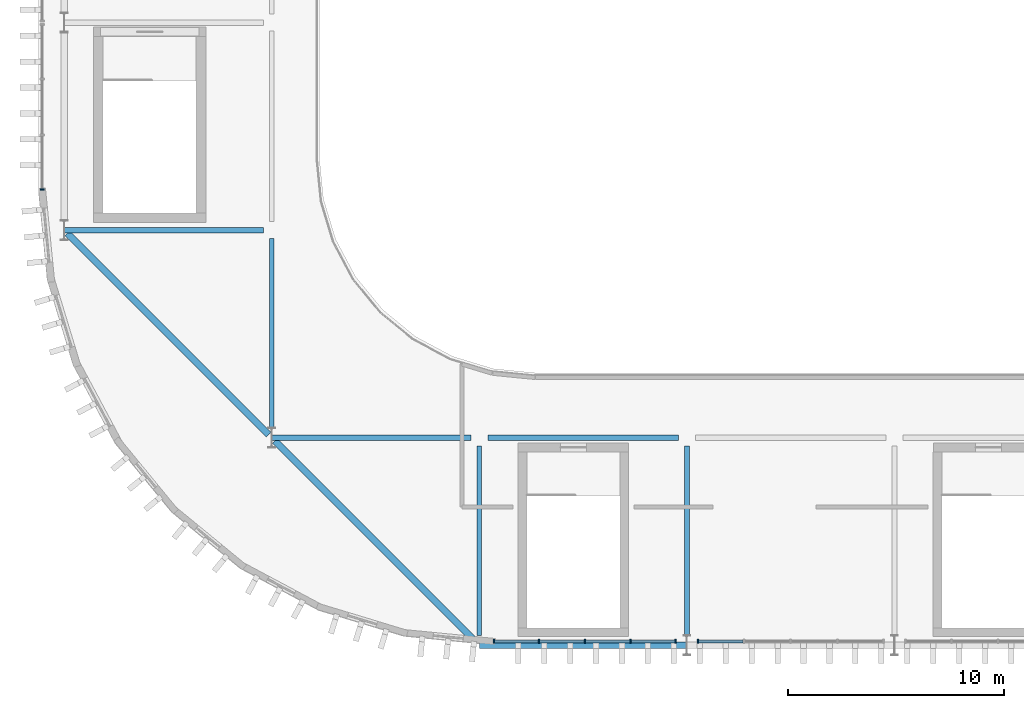
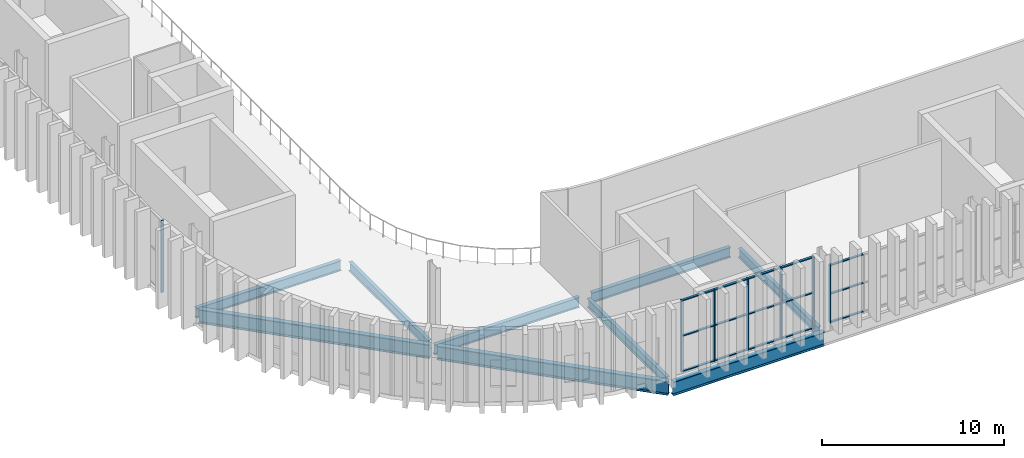
# One storey, part 9 of 45: 22 members, 9 beams, 3 elements without a shape of their own.
"""IFC4 building model written with IfcOpenShell, lengths in metres."""

from ifc_helpers import new_model, si_unit, direction, frame, origin, origin_2d, place, context, subcontext, project, spatial, rectangle, i_section, extrude, material, layer, layer_set, material_profile, profile_set, type_object, element, aggregate, save


model = new_model("IFC4")

# Units and contexts
model_context = context("Model", 3, precision=1e-05, world=origin(), true_north=direction((0.0, 1.0)))
body_context = subcontext(model_context, "Body", "Model", "MODEL_VIEW")
ifc_project = project(units=[si_unit("LENGTHUNIT", "METRE"), si_unit("AREAUNIT", "SQUARE_METRE"), si_unit("VOLUMEUNIT", "CUBIC_METRE"), si_unit("PLANEANGLEUNIT", "RADIAN"), si_unit("MASSUNIT", "GRAM", prefix="KILO")], contexts=[model_context])

# Site, building, storey
site_placement = place(None, origin())
site = spatial("IfcSite", under=ifc_project, at=site_placement, CompositionType="ELEMENT")
building_placement = place(site_placement, origin())
building = spatial("IfcBuilding", under=site, at=building_placement, Name="Caelomonte Colonnade Arena", CompositionType="ELEMENT")
storey_placement = place(building_placement, frame((0.0, 0.0, 23.10009765625)))
storey = spatial("IfcBuildingStorey", under=building, at=storey_placement, Name="L05", CompositionType="ELEMENT", Elevation=23.10009765625)

# Curtain wall, members
ifc_material_1 = material(Name="Bronze anodised aluminium and low-E glazing", Category="aluminium")
ifc_layer_1 = layer(ifc_material_1, 0.179931640625)
ifc_layer_set_1 = layer_set([ifc_layer_1], Name="Bronze anodised aluminium and low-E glazing")
curtain_wall_type_1 = type_object("IfcCurtainWallType", Name="ENV-CW-CW-L05-91-48", PredefinedType="USERDEFINED", material=ifc_layer_set_1)
curtain_wall_1_placement = place(storey_placement, origin())
curtain_wall_1 = element("IfcCurtainWall", 1, at=curtain_wall_1_placement, inside=storey, type_object=curtain_wall_type_1, Name="L05 unitized curtain wall CW-L05-0818-0194", ObjectType="UNITIZED CURTAIN WALL", PredefinedType="USERDEFINED")
ifc_material_2 = material(Name="Bronze anodised aluminium AA6063-T6", Category="aluminium")
ifc_material_profile_1 = material_profile(ifc_material_2, rectangle(XDim=0.070068359375, YDim=0.179931640625, at=origin_2d()), Name="CWM-70X180")
ifc_profile_set_1 = profile_set([ifc_material_profile_1], Name="Bronze anodised aluminium AA6063-T6")
member_type_1 = type_object("IfcMemberType", Name="ENV-CW-MULL1", PredefinedType="MULLION", material=ifc_profile_set_1)
member_1_placement = place(storey_placement, frame((77.47509765625, 19.3798828125, 0.0), z_axis=(0.0, 0.0, 1.0), x_axis=(1.0, 0.0, 0.0)))
member_1 = element("IfcMember", 2, at=member_1_placement, type_object=member_type_1, Name="CW-L05-91-48 mullion 1", PredefinedType="MULLION", context=body_context, shape_type="SweptSolid", body=[
    extrude(rectangle(XDim=0.070068359375, YDim=0.179931640625, at=origin_2d()), origin(), (0.0, 0.0, 1.0), 4.81982421875),
])
member_2_placement = place(storey_placement, frame((79.560791015625, 19.3798828125, 0.0), z_axis=(0.0, 0.0, 1.0), x_axis=(1.0, 0.0, 0.0)))
member_2 = element("IfcMember", 3, at=member_2_placement, type_object=member_type_1, Name="CW-L05-91-48 mullion 2", PredefinedType="MULLION", context=body_context, shape_type="SweptSolid", body=[
    extrude(rectangle(XDim=0.070068359375, YDim=0.179931640625, at=origin_2d()), origin(), (0.0, 0.0, 1.0), 4.81982421875),
])
member_3_placement = place(storey_placement, frame((81.681396484375, 19.3798828125, 0.0), z_axis=(0.0, 0.0, 1.0), x_axis=(1.0, 0.0, 0.0)))
member_3 = element("IfcMember", 4, at=member_3_placement, type_object=member_type_1, Name="CW-L05-91-48 mullion 3", PredefinedType="MULLION", context=body_context, shape_type="SweptSolid", body=[
    extrude(rectangle(XDim=0.070068359375, YDim=0.179931640625, at=origin_2d()), origin(), (0.0, 0.0, 1.0), 4.81982421875),
])
member_4_placement = place(storey_placement, frame((83.802001953125, 19.3798828125, 0.0), z_axis=(0.0, 0.0, 1.0), x_axis=(1.0, 0.0, 0.0)))
member_4 = element("IfcMember", 5, at=member_4_placement, type_object=member_type_1, Name="CW-L05-91-48 mullion 4", PredefinedType="MULLION", context=body_context, shape_type="SweptSolid", body=[
    extrude(rectangle(XDim=0.070068359375, YDim=0.179931640625, at=origin_2d()), origin(), (0.0, 0.0, 1.0), 4.81982421875),
])
member_5_placement = place(storey_placement, frame((85.8876953125, 19.3798828125, 0.0), z_axis=(0.0, 0.0, 1.0), x_axis=(1.0, 0.0, 0.0)))
member_5 = element("IfcMember", 6, at=member_5_placement, type_object=member_type_1, Name="CW-L05-91-48 mullion 5", PredefinedType="MULLION", context=body_context, shape_type="SweptSolid", body=[
    extrude(rectangle(XDim=0.070068359375, YDim=0.179931640625, at=origin_2d()), origin(), (0.0, 0.0, 1.0), 4.81982421875),
])

# Curtain wall, member
ifc_layer_2 = layer(ifc_material_1, 0.179931640625)
ifc_layer_set_2 = layer_set([ifc_layer_2], Name="Bronze anodised aluminium and low-E glazing")
curtain_wall_type_2 = type_object("IfcCurtainWallType", Name="ENV-CW-CW-L05-96-39", PredefinedType="USERDEFINED", material=ifc_layer_set_2)
curtain_wall_2_placement = place(storey_placement, origin())
curtain_wall_2 = element("IfcCurtainWall", 7, at=curtain_wall_2_placement, inside=storey, type_object=curtain_wall_type_2, Name="L05 unitized curtain wall CW-L05-0912-0194", ObjectType="UNITIZED CURTAIN WALL", PredefinedType="USERDEFINED")
member_6_placement = place(storey_placement, frame((86.912109375, 19.3798828125, 0.0), z_axis=(0.0, 0.0, 1.0), x_axis=(1.0, 0.0, 0.0)))
member_6 = element("IfcMember", 8, at=member_6_placement, type_object=member_type_1, Name="CW-L05-96-39 mullion 1", PredefinedType="MULLION", context=body_context, shape_type="SweptSolid", body=[
    extrude(rectangle(XDim=0.070068359375, YDim=0.179931640625, at=origin_2d()), origin(), (0.0, 0.0, 1.0), 3.892822265625),
])

ifc_layer_3 = layer(ifc_material_1, 0.179931640625)
ifc_layer_set_3 = layer_set([ifc_layer_3], Name="Bronze anodised aluminium and low-E glazing")
curtain_wall_type_3 = type_object("IfcCurtainWallType", Name="ENV-CW-CW-L05-79-48", PredefinedType="USERDEFINED", material=ifc_layer_set_3)
curtain_wall_3_placement = place(storey_placement, origin())
curtain_wall_3 = element("IfcCurtainWall", 9, at=curtain_wall_3_placement, inside=storey, type_object=curtain_wall_type_3, Name="L05 unitized curtain wall CW-L05-0566-0440", ObjectType="UNITIZED CURTAIN WALL", PredefinedType="USERDEFINED")
member_7_placement = place(storey_placement, frame((56.580078125, 40.27490234375, 0.0), z_axis=(0.0, 0.0, 1.0), x_axis=(0.0, -1.0, 0.0)))
member_7 = element("IfcMember", 10, at=member_7_placement, type_object=member_type_1, Name="CW-L05-79-48 mullion 4", PredefinedType="MULLION", context=body_context, shape_type="SweptSolid", body=[
    extrude(rectangle(XDim=0.070068359375, YDim=0.179931640625, at=origin_2d()), origin(), (0.0, 0.0, 1.0), 4.81982421875),
])
aggregate(curtain_wall_3, [member_7])

# Member
ifc_material_profile_2 = material_profile(ifc_material_2, rectangle(XDim=0.070068359375, YDim=0.139892578125, at=origin_2d()), Name="CWT-70X140")
ifc_profile_set_2 = profile_set([ifc_material_profile_2], Name="Bronze anodised aluminium AA6063-T6")
member_type_2 = type_object("IfcMemberType", Name="ENV-CW-TRAN1", PredefinedType="USERDEFINED", material=ifc_profile_set_2)
member_8_placement = place(storey_placement, frame((77.510009765625, 19.3798828125, 0.034912109375), z_axis=(1.0, 0.0, 0.0), x_axis=(0.0, 0.0, 1.0)))
member_8 = element("IfcMember", 11, at=member_8_placement, type_object=member_type_2, Name="CW-L05-91-48 transom 1.1", ObjectType="TRANSOM", PredefinedType="USERDEFINED", context=body_context, shape_type="SweptSolid", body=[
    extrude(rectangle(XDim=0.070068359375, YDim=0.139892578125, at=origin_2d()), origin(), (0.0, 0.0, 1.0), 2.015625),
])

member_9_placement = place(storey_placement, frame((77.510009765625, 19.3798828125, 2.409912109375), z_axis=(1.0, 0.0, 0.0), x_axis=(0.0, 0.0, 1.0)))
member_9 = element("IfcMember", 12, at=member_9_placement, type_object=member_type_2, Name="CW-L05-91-48 transom 1.2", ObjectType="TRANSOM", PredefinedType="USERDEFINED", context=body_context, shape_type="SweptSolid", body=[
    extrude(rectangle(XDim=0.070068359375, YDim=0.139892578125, at=origin_2d()), origin(), (0.0, 0.0, 1.0), 2.015625),
])

member_10_placement = place(storey_placement, frame((77.510009765625, 19.3798828125, 4.784912109375), z_axis=(1.0, 0.0, 0.0), x_axis=(0.0, 0.0, 1.0)))
member_10 = element("IfcMember", 13, at=member_10_placement, type_object=member_type_2, Name="CW-L05-91-48 transom 1.3", ObjectType="TRANSOM", PredefinedType="USERDEFINED", context=body_context, shape_type="SweptSolid", body=[
    extrude(rectangle(XDim=0.070068359375, YDim=0.139892578125, at=origin_2d()), origin(), (0.0, 0.0, 1.0), 2.015625),
])

member_11_placement = place(storey_placement, frame((79.595703125, 19.3798828125, 0.034912109375), z_axis=(1.0, 0.0, 0.0), x_axis=(0.0, 0.0, 1.0)))
member_11 = element("IfcMember", 14, at=member_11_placement, type_object=member_type_2, Name="CW-L05-91-48 transom 2.1", ObjectType="TRANSOM", PredefinedType="USERDEFINED", context=body_context, shape_type="SweptSolid", body=[
    extrude(rectangle(XDim=0.070068359375, YDim=0.139892578125, at=origin_2d()), origin(), (0.0, 0.0, 1.0), 2.05078125),
])

member_12_placement = place(storey_placement, frame((79.595703125, 19.3798828125, 2.409912109375), z_axis=(1.0, 0.0, 0.0), x_axis=(0.0, 0.0, 1.0)))
member_12 = element("IfcMember", 15, at=member_12_placement, type_object=member_type_2, Name="CW-L05-91-48 transom 2.2", ObjectType="TRANSOM", PredefinedType="USERDEFINED", context=body_context, shape_type="SweptSolid", body=[
    extrude(rectangle(XDim=0.070068359375, YDim=0.139892578125, at=origin_2d()), origin(), (0.0, 0.0, 1.0), 2.05078125),
])

member_13_placement = place(storey_placement, frame((79.595703125, 19.3798828125, 4.784912109375), z_axis=(1.0, 0.0, 0.0), x_axis=(0.0, 0.0, 1.0)))
member_13 = element("IfcMember", 16, at=member_13_placement, type_object=member_type_2, Name="CW-L05-91-48 transom 2.3", ObjectType="TRANSOM", PredefinedType="USERDEFINED", context=body_context, shape_type="SweptSolid", body=[
    extrude(rectangle(XDim=0.070068359375, YDim=0.139892578125, at=origin_2d()), origin(), (0.0, 0.0, 1.0), 2.05078125),
])

member_14_placement = place(storey_placement, frame((81.71630859375, 19.3798828125, 0.034912109375), z_axis=(1.0, 0.0, 0.0), x_axis=(0.0, 0.0, 1.0)))
member_14 = element("IfcMember", 17, at=member_14_placement, type_object=member_type_2, Name="CW-L05-91-48 transom 3.1", ObjectType="TRANSOM", PredefinedType="USERDEFINED", context=body_context, shape_type="SweptSolid", body=[
    extrude(rectangle(XDim=0.070068359375, YDim=0.139892578125, at=origin_2d()), origin(), (0.0, 0.0, 1.0), 2.05078125),
])

member_15_placement = place(storey_placement, frame((81.71630859375, 19.3798828125, 2.409912109375), z_axis=(1.0, 0.0, 0.0), x_axis=(0.0, 0.0, 1.0)))
member_15 = element("IfcMember", 18, at=member_15_placement, type_object=member_type_2, Name="CW-L05-91-48 transom 3.2", ObjectType="TRANSOM", PredefinedType="USERDEFINED", context=body_context, shape_type="SweptSolid", body=[
    extrude(rectangle(XDim=0.070068359375, YDim=0.139892578125, at=origin_2d()), origin(), (0.0, 0.0, 1.0), 2.05078125),
])

member_16_placement = place(storey_placement, frame((81.71630859375, 19.3798828125, 4.784912109375), z_axis=(1.0, 0.0, 0.0), x_axis=(0.0, 0.0, 1.0)))
member_16 = element("IfcMember", 19, at=member_16_placement, type_object=member_type_2, Name="CW-L05-91-48 transom 3.3", ObjectType="TRANSOM", PredefinedType="USERDEFINED", context=body_context, shape_type="SweptSolid", body=[
    extrude(rectangle(XDim=0.070068359375, YDim=0.139892578125, at=origin_2d()), origin(), (0.0, 0.0, 1.0), 2.05078125),
])

member_17_placement = place(storey_placement, frame((83.837158203125, 19.3798828125, 0.034912109375), z_axis=(1.0, 0.0, 0.0), x_axis=(0.0, 0.0, 1.0)))
member_17 = element("IfcMember", 20, at=member_17_placement, type_object=member_type_2, Name="CW-L05-91-48 transom 4.1", ObjectType="TRANSOM", PredefinedType="USERDEFINED", context=body_context, shape_type="SweptSolid", body=[
    extrude(rectangle(XDim=0.070068359375, YDim=0.139892578125, at=origin_2d()), origin(), (0.0, 0.0, 1.0), 2.015625),
])

member_18_placement = place(storey_placement, frame((83.837158203125, 19.3798828125, 2.409912109375), z_axis=(1.0, 0.0, 0.0), x_axis=(0.0, 0.0, 1.0)))
member_18 = element("IfcMember", 21, at=member_18_placement, type_object=member_type_2, Name="CW-L05-91-48 transom 4.2", ObjectType="TRANSOM", PredefinedType="USERDEFINED", context=body_context, shape_type="SweptSolid", body=[
    extrude(rectangle(XDim=0.070068359375, YDim=0.139892578125, at=origin_2d()), origin(), (0.0, 0.0, 1.0), 2.015625),
])

member_19_placement = place(storey_placement, frame((83.837158203125, 19.3798828125, 4.784912109375), z_axis=(1.0, 0.0, 0.0), x_axis=(0.0, 0.0, 1.0)))
member_19 = element("IfcMember", 22, at=member_19_placement, type_object=member_type_2, Name="CW-L05-91-48 transom 4.3", ObjectType="TRANSOM", PredefinedType="USERDEFINED", context=body_context, shape_type="SweptSolid", body=[
    extrude(rectangle(XDim=0.070068359375, YDim=0.139892578125, at=origin_2d()), origin(), (0.0, 0.0, 1.0), 2.015625),
])

aggregate(curtain_wall_1, [member_1, member_2, member_3, member_4, member_5, member_8, member_9, member_10, member_11, member_12, member_13, member_14, member_15, member_16, member_17, member_18, member_19])

member_20_placement = place(storey_placement, frame((86.947265625, 19.3798828125, 0.034912109375), z_axis=(1.0, 0.0, 0.0), x_axis=(0.0, 0.0, 1.0)))
member_20 = element("IfcMember", 23, at=member_20_placement, type_object=member_type_2, Name="CW-L05-96-39 transom 1.1", ObjectType="TRANSOM", PredefinedType="USERDEFINED", context=body_context, shape_type="SweptSolid", body=[
    extrude(rectangle(XDim=0.070068359375, YDim=0.139892578125, at=origin_2d()), origin(), (0.0, 0.0, 1.0), 2.056396484375),
])

member_21_placement = place(storey_placement, frame((86.947265625, 19.3798828125, 1.9462890625), z_axis=(1.0, 0.0, 0.0), x_axis=(0.0, 0.0, 1.0)))
member_21 = element("IfcMember", 24, at=member_21_placement, type_object=member_type_2, Name="CW-L05-96-39 transom 1.2", ObjectType="TRANSOM", PredefinedType="USERDEFINED", context=body_context, shape_type="SweptSolid", body=[
    extrude(rectangle(XDim=0.070068359375, YDim=0.139892578125, at=origin_2d()), origin(), (0.0, 0.0, 1.0), 2.056396484375),
])

member_22_placement = place(storey_placement, frame((86.947265625, 19.3798828125, 3.85791015625), z_axis=(1.0, 0.0, 0.0), x_axis=(0.0, 0.0, 1.0)))
member_22 = element("IfcMember", 25, at=member_22_placement, type_object=member_type_2, Name="CW-L05-96-39 transom 1.3", ObjectType="TRANSOM", PredefinedType="USERDEFINED", context=body_context, shape_type="SweptSolid", body=[
    extrude(rectangle(XDim=0.070068359375, YDim=0.139892578125, at=origin_2d()), origin(), (0.0, 0.0, 1.0), 2.056396484375),
])

aggregate(curtain_wall_2, [member_6, member_20, member_21, member_22])

# Beams
ifc_material_3 = material(Name="Wide-flange steel ASTM A992 Grade 50", Category="steel")
ifc_material_profile_3 = material_profile(ifc_material_3, i_section(OverallWidth=0.307861328125, OverallDepth=0.927001953125, WebThickness=0.019287109375, FlangeThickness=0.031982421875, FilletRadius=0.020263671875, at=origin_2d()), Name="W36X194")
ifc_profile_set_3 = profile_set([ifc_material_profile_3], Name="Wide-flange steel ASTM A992 Grade 50")
beam_type_1 = type_object("IfcBeamType", Name="STR-BM-EAVES2", PredefinedType="SPANDREL", material=ifc_profile_set_3)
beam_1_placement = place(storey_placement, frame((76.8095703125, 19.199951171875, -0.7236328125), z_axis=(1.0, 0.0, 0.0), x_axis=(0.0, 1.0, 0.0)))
element("IfcBeam", 26, at=beam_1_placement, inside=storey, type_object=beam_type_1, Name="L05 girder BMX-L05-0768-0192", PredefinedType="SPANDREL", context=body_context, shape_type="SweptSolid", body=[
    extrude(i_section(OverallWidth=0.307861328125, OverallDepth=0.927001953125, WebThickness=0.019287109375, FlangeThickness=0.031982421875, FilletRadius=0.020263671875, at=origin_2d()), origin(), (0.0, 0.0, 1.0), 9.580810546875),
])
beam_2_placement = place(storey_placement, frame((57.7421875, 38.2578125, -0.7236328125), z_axis=(0.707106781187, -0.707106781187, 0.0), x_axis=(0.707106781187, 0.707106781187, 0.0)))
element("IfcBeam", 27, at=beam_2_placement, inside=storey, type_object=beam_type_1, Name="L05 drum corner ring girder 1", PredefinedType="SPANDREL", context=body_context, shape_type="SweptSolid", body=[
    extrude(i_section(OverallWidth=0.307861328125, OverallDepth=0.927001953125, WebThickness=0.019287109375, FlangeThickness=0.031982421875, FilletRadius=0.020263671875, at=origin_2d()), origin(), (0.0, 0.0, 1.0), 13.17431640625),
])
beam_3_placement = place(storey_placement, frame((67.34228515625, 28.65771484375, -0.7236328125), z_axis=(0.707106781187, -0.707106781187, 0.0), x_axis=(0.707106781187, 0.707106781187, 0.0)))
element("IfcBeam", 28, at=beam_3_placement, inside=storey, type_object=beam_type_1, Name="L05 drum corner ring girder 2", PredefinedType="SPANDREL", context=body_context, shape_type="SweptSolid", body=[
    extrude(i_section(OverallWidth=0.307861328125, OverallDepth=0.927001953125, WebThickness=0.019287109375, FlangeThickness=0.031982421875, FilletRadius=0.020263671875, at=origin_2d()), origin(), (0.0, 0.0, 1.0), 13.174072265625),
])
ifc_material_profile_4 = material_profile(ifc_material_3, i_section(OverallWidth=0.227783203125, OverallDepth=0.60205078125, WebThickness=0.010498046875, FlangeThickness=0.014892578125, FilletRadius=0.0126953125, at=origin_2d()), Name="W24X68")
ifc_profile_set_4 = profile_set([ifc_material_profile_4], Name="Wide-flange steel ASTM A992 Grade 50")
beam_type_2 = type_object("IfcBeamType", Name="STR-BM-GIRD24B", PredefinedType="SPANDREL", material=ifc_profile_set_4)
for number, where, z_axis, x_axis, name in (
    (29, (67.199951171875, 29.255615234375, -0.56103515625), (0.0, 1.0, 0.0), (-1.0, 0.0, 0.0), "L05 girder BMY-L05-0672-0288"),
    (30, (76.800048828125, 19.655517578125, -0.56103515625), (0.0, 1.0, 0.0), (-1.0, 0.0, 0.0), "L05 girder BMY-L05-0768-0192"),
    (31, (86.39990234375, 19.655517578125, -0.56103515625), (0.0, 1.0, 0.0), (-1.0, 0.0, 0.0), "L05 girder BMY-L05-0864-0192"),
):
    element("IfcBeam", number, at=place(storey_placement, frame(where, z_axis=z_axis, x_axis=x_axis)), inside=storey, type_object=beam_type_2, Name=name, PredefinedType="SPANDREL", context=body_context, shape_type="SweptSolid", body=[
        extrude(i_section(OverallWidth=0.227783203125, OverallDepth=0.60205078125, WebThickness=0.010498046875, FlangeThickness=0.014892578125, FilletRadius=0.0126953125, at=origin_2d()), origin(), (0.0, 0.0, 1.0), 8.75244140625),
    ])
ifc_material_profile_5 = material_profile(ifc_material_3, i_section(OverallWidth=0.2529296875, OverallDepth=0.67822265625, WebThickness=0.01171875, FlangeThickness=0.016357421875, FilletRadius=0.01513671875, at=origin_2d()), Name="W27X84")
ifc_profile_set_5 = profile_set([ifc_material_profile_5], Name="Wide-flange steel ASTM A992 Grade 50")
beam_type_3 = type_object("IfcBeamType", Name="STR-BM-GIRD27B", PredefinedType="BEAM", material=ifc_profile_set_5)
beam_4_placement = place(storey_placement, frame((67.209716796875, 28.800048828125, -0.59912109375), z_axis=(1.0, 0.0, 0.0), x_axis=(0.0, 1.0, 0.0)))
element("IfcBeam", 32, at=beam_4_placement, inside=storey, type_object=beam_type_3, Name="L05 girder BMX-L05-0672-0288", PredefinedType="BEAM", context=body_context, shape_type="SweptSolid", body=[
    extrude(i_section(OverallWidth=0.2529296875, OverallDepth=0.67822265625, WebThickness=0.01171875, FlangeThickness=0.016357421875, FilletRadius=0.01513671875, at=origin_2d()), origin(), (0.0, 0.0, 1.0), 9.1982421875),
])
beam_5_placement = place(storey_placement, frame((77.19189453125, 28.800048828125, -0.59912109375), z_axis=(1.0, 0.0, 0.0), x_axis=(0.0, 1.0, 0.0)))
element("IfcBeam", 33, at=beam_5_placement, inside=storey, type_object=beam_type_3, Name="L05 girder BMX-L05-0768-0288", PredefinedType="BEAM", context=body_context, shape_type="SweptSolid", body=[
    extrude(i_section(OverallWidth=0.2529296875, OverallDepth=0.67822265625, WebThickness=0.01171875, FlangeThickness=0.016357421875, FilletRadius=0.01513671875, at=origin_2d()), origin(), (0.0, 0.0, 1.0), 8.816162109375),
])
beam_6_placement = place(storey_placement, frame((57.609619140625, 38.39990234375, -0.59912109375), z_axis=(1.0, 0.0, 0.0), x_axis=(0.0, 1.0, 0.0)))
element("IfcBeam", 34, at=beam_6_placement, inside=storey, type_object=beam_type_3, Name="L05 girder BMX-L05-0576-0384", PredefinedType="BEAM", context=body_context, shape_type="SweptSolid", body=[
    extrude(i_section(OverallWidth=0.2529296875, OverallDepth=0.67822265625, WebThickness=0.01171875, FlangeThickness=0.016357421875, FilletRadius=0.01513671875, at=origin_2d()), origin(), (0.0, 0.0, 1.0), 9.198486328125),
])

save(model, "model.ifc")
